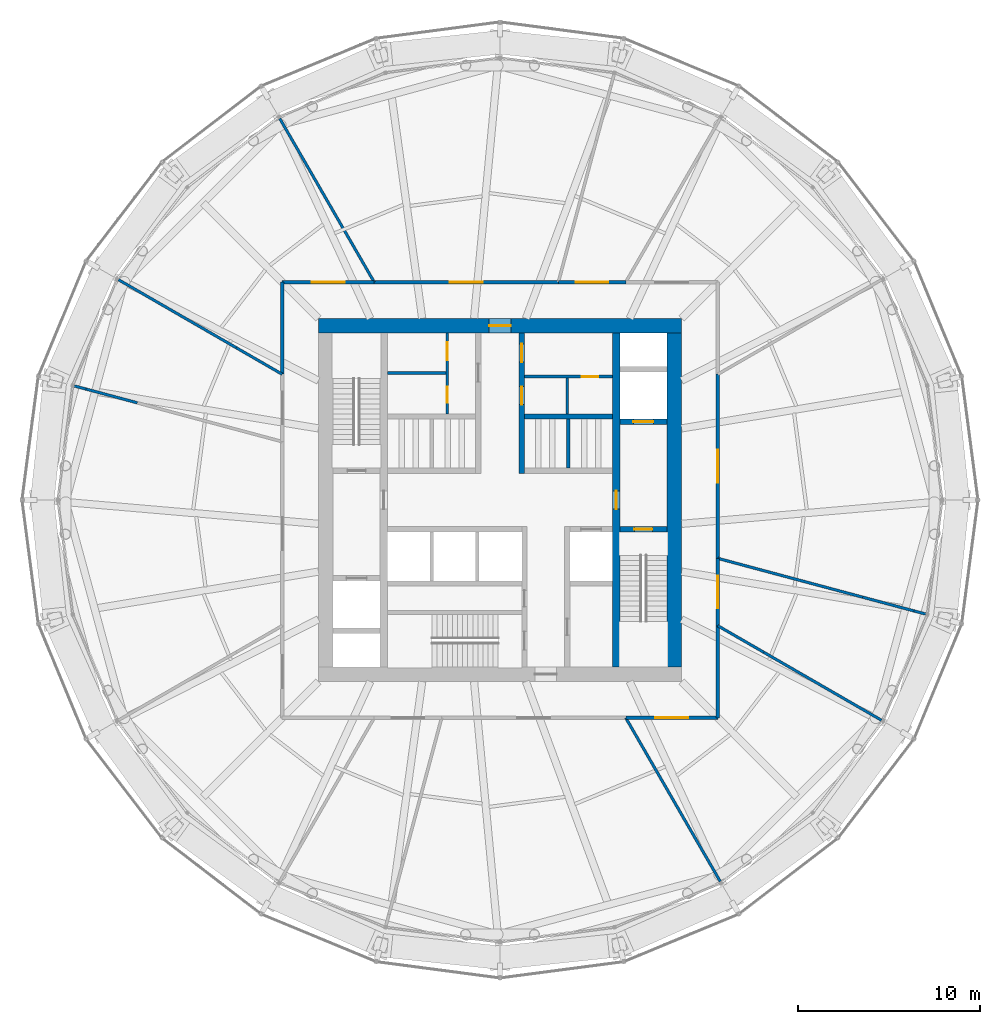
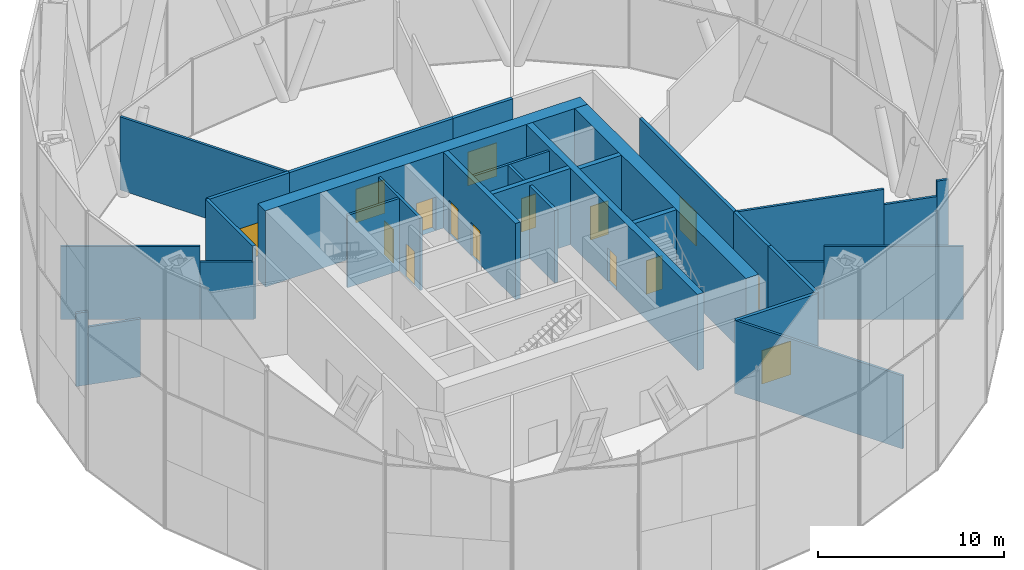
# One storey, part 14 of 16: 31 walls, 15 doors, 15 openings.
"""IFC4 building model written with IfcOpenShell, lengths in metres."""

from ifc_helpers import new_model, si_unit, direction, frame, frame_2d, origin, place, context, subcontext, project, spatial, rectangle, extrude, material, layer, layer_set, type_object, element, fill, save


model = new_model("IFC4")

# Units and contexts
model_context = context("Model", 3, precision=1e-05, world=origin(), true_north=direction((0.0, 1.0)))
body_context = subcontext(model_context, "Body", "Model", "MODEL_VIEW")
ifc_project = project(units=[si_unit("LENGTHUNIT", "METRE"), si_unit("AREAUNIT", "SQUARE_METRE"), si_unit("VOLUMEUNIT", "CUBIC_METRE"), si_unit("PLANEANGLEUNIT", "RADIAN"), si_unit("MASSUNIT", "GRAM", prefix="KILO")], contexts=[model_context])

# Site, building, storey
site_placement = place(None, origin())
site = spatial("IfcSite", under=ifc_project, at=site_placement, CompositionType="ELEMENT")
building_placement = place(site_placement, origin())
building = spatial("IfcBuilding", under=site, at=building_placement, Name="Golbaran Civic Tower", CompositionType="ELEMENT")
storey_placement = place(building_placement, frame((0.0, 0.0, 85.0)))
storey = spatial("IfcBuildingStorey", under=building, at=storey_placement, Name="L20", CompositionType="ELEMENT", Elevation=85.0)

# Wall, opening, door
ifc_material_1 = material(Name="Concrete block", Category="concrete")
ifc_layer_1 = layer(ifc_material_1, 0.14990234375, Name="Concrete block")
ifc_layer_set_1 = layer_set([ifc_layer_1], Name="Concrete block")
wall_type_1 = type_object("IfcWallType", Name="BLOCKWORK PARTITION 150", PredefinedType="PARTITIONING", material=ifc_layer_set_1)
wall_1_placement = place(storey_placement, frame((1.35009765625, 6.800048828125, 0.0), z_axis=(0.0, 0.0, 1.0), x_axis=(1.0, 0.0, 0.0)))
wall_1 = element("IfcWall", 1, at=wall_1_placement, inside=storey, type_object=wall_type_1, Name="Toilet block partition TN1 L20", PredefinedType="PARTITIONING", context=body_context, shape_type="SweptSolid", body=[
    extrude(rectangle(XDim=4.849853515625, YDim=0.14990234375, at=frame_2d((2.4248046875, 0.0))), origin(), (0.0, 0.0, 1.0), 4.75),
])
opening_1_placement = place(wall_1_placement, frame((3.14990234375, 0.0, 0.0)))
opening_1 = element("IfcOpeningElement", 2, at=opening_1_placement, cuts=wall_1, Name="Opening L20.CLN", PredefinedType="OPENING", context=body_context, shape_type="SweptSolid", body=[
    extrude(rectangle(XDim=0.89990234375, YDim=2.199951171875, at=frame_2d((0.449951171875, 1.10009765625))), frame((0.0, 0.0849609375, 0.0), z_axis=(0.0, -1.0, 0.0), x_axis=(1.0, 0.0, 0.0)), (0.0, 0.0, 1.0), 0.169921875),
])
ifc_material_2 = material(Name="Timber door set in steel frame", Category="steel")
door_type_1 = type_object("IfcDoorType", Name="RISER DOOR 900x2200", OperationType="SINGLE_SWING_LEFT", PredefinedType="DOOR", material=ifc_material_2)
door_1_placement = place(opening_1_placement, origin())
door_1 = element("IfcDoor", 3, at=door_1_placement, inside=storey, type_object=door_type_1, Name="Floor Store door", OperationType="SINGLE_SWING_RIGHT", OverallHeight=2.199951171875, OverallWidth=0.89990234375, PredefinedType="DOOR", context=body_context, shape_type="SweptSolid", body=[
    extrude(rectangle(XDim=0.89990234375, YDim=2.199951171875, at=frame_2d((0.449951171875, 1.10009765625))), frame((0.0, 0.02490234375, 0.0), z_axis=(0.0, -1.0, 0.0), x_axis=(1.0, 0.0, 0.0)), (0.0, 0.0, 1.0), 0.050048828125),
])
fill(opening_1, door_1)

# Wall
wall_2_placement = place(storey_placement, frame((3.699951171875, 4.75, 0.0), z_axis=(0.0, 0.0, 1.0), x_axis=(0.0, 1.0, 0.0)))
element("IfcWall", 4, at=wall_2_placement, inside=storey, type_object=wall_type_1, Name="Toilet block partition TN2 L20", PredefinedType="PARTITIONING", context=body_context, shape_type="SweptSolid", body=[
    extrude(rectangle(XDim=1.97509765625, YDim=0.14990234375, at=frame_2d((0.987548828125, 0.0))), origin(), (0.0, 0.0, 1.0), 4.75),
])

# Wall, opening, door
ifc_material_3 = material(Name="Concrete C50/60", Category="concrete")
ifc_layer_2 = layer(ifc_material_3, 0.39990234375, Name="Concrete C50/60")
ifc_layer_set_2 = layer_set([ifc_layer_2], Name="Concrete C50/60")
wall_type_2 = type_object("IfcWallType", Name="CORE WALL CONCRETE 400", PredefinedType="SOLIDWALL", material=ifc_layer_set_2)
wall_3_placement = place(storey_placement, frame((6.39990234375, 9.199951171875, 0.0), z_axis=(0.0, 0.0, 1.0), x_axis=(0.0, -1.0, 0.0)))
wall_3 = element("IfcWall", 5, at=wall_3_placement, inside=storey, type_object=wall_type_2, Name="Core wall IE L20", PredefinedType="SOLIDWALL", context=body_context, shape_type="SweptSolid", body=[
    extrude(rectangle(XDim=18.39990234375, YDim=0.39990234375, at=frame_2d((9.199951171875, 0.0))), origin(), (0.0, 0.0, 1.0), 5.0),
])
opening_2_placement = place(wall_3_placement, frame((8.699951171875, 0.0, 0.0)))
opening_2 = element("IfcOpeningElement", 6, at=opening_2_placement, cuts=wall_3, Name="Opening L20.FL2", PredefinedType="OPENING", context=body_context, shape_type="SweptSolid", body=[
    extrude(rectangle(XDim=1.0, YDim=2.199951171875, at=frame_2d((0.5, 1.10009765625))), frame((0.0, 0.2099609375, 0.0), z_axis=(0.0, -1.0, 0.0), x_axis=(1.0, 0.0, 0.0)), (0.0, 0.0, 1.0), 0.419921875),
])
door_type_2 = type_object("IfcDoorType", Name="STAIR DOOR 1000x2200", OperationType="SINGLE_SWING_LEFT", PredefinedType="DOOR", material=ifc_material_2)
door_2_placement = place(opening_2_placement, origin())
door_2 = element("IfcDoor", 7, at=door_2_placement, inside=storey, type_object=door_type_2, Name="Fire-fighting lobby FL2 door", OperationType="SINGLE_SWING_RIGHT", OverallHeight=2.199951171875, OverallWidth=1.0, PredefinedType="DOOR", context=body_context, shape_type="SweptSolid", body=[
    extrude(rectangle(XDim=1.0, YDim=2.199951171875, at=frame_2d((0.5, 1.10009765625))), frame((0.0, 0.02490234375, 0.0), z_axis=(0.0, -1.0, 0.0), x_axis=(1.0, 0.0, 0.0)), (0.0, 0.0, 1.0), 0.050048828125),
])
fill(opening_2, door_2)

ifc_layer_3 = layer(ifc_material_3, 0.800048828125, Name="Concrete C50/60")
ifc_layer_set_3 = layer_set([ifc_layer_3], Name="Concrete C50/60")
wall_type_3 = type_object("IfcWallType", Name="CORE WALL CONCRETE 800", PredefinedType="SOLIDWALL", material=ifc_layer_set_3)
wall_4_placement = place(storey_placement, frame((-10.0, 9.60009765625, 0.0), z_axis=(0.0, 0.0, 1.0), x_axis=(1.0, 0.0, 0.0)))
wall_4 = element("IfcWall", 8, at=wall_4_placement, inside=storey, type_object=wall_type_3, Name="Core wall CN L20", PredefinedType="SOLIDWALL", context=body_context, shape_type="SweptSolid", body=[
    extrude(rectangle(XDim=20.0, YDim=0.800048828125, at=frame_2d((10.0, 0.0))), origin(), (0.0, 0.0, 1.0), 5.0),
])
opening_3_placement = place(wall_4_placement, frame((9.39990234375, 0.0, 0.0)))
opening_3 = element("IfcOpeningElement", 9, at=opening_3_placement, cuts=wall_4, Name="Opening L20.CN", PredefinedType="OPENING", context=body_context, shape_type="SweptSolid", body=[
    extrude(rectangle(XDim=1.199951171875, YDim=2.199951171875, at=frame_2d((0.60009765625, 1.10009765625))), frame((0.0, 0.409912109375, 0.0), z_axis=(0.0, -1.0, 0.0), x_axis=(1.0, 0.0, 0.0)), (0.0, 0.0, 1.0), 0.820068359375),
])
door_type_3 = type_object("IfcDoorType", Name="CORE DOOR 1200x2200", OperationType="DOUBLE_DOOR_SINGLE_SWING", PredefinedType="DOOR", material=ifc_material_2)
door_3_placement = place(opening_3_placement, origin())
door_3 = element("IfcDoor", 10, at=door_3_placement, inside=storey, type_object=door_type_3, Name="Core door north", OperationType="DOUBLE_DOOR_SINGLE_SWING", OverallHeight=2.199951171875, OverallWidth=1.199951171875, PredefinedType="DOOR", context=body_context, shape_type="SweptSolid", body=[
    extrude(rectangle(XDim=1.199951171875, YDim=2.199951171875, at=frame_2d((0.60009765625, 1.10009765625))), frame((0.0, 0.02490234375, 0.0), z_axis=(0.0, -1.0, 0.0), x_axis=(1.0, 0.0, 0.0)), (0.0, 0.0, 1.0), 0.050048828125),
])
fill(opening_3, door_3)

# Wall
wall_5_placement = place(storey_placement, frame((9.60009765625, -9.199951171875, 0.0), z_axis=(0.0, 0.0, 1.0), x_axis=(0.0, 1.0, 0.0)))
element("IfcWall", 11, at=wall_5_placement, inside=storey, type_object=wall_type_3, Name="Core wall CE L20", PredefinedType="SOLIDWALL", context=body_context, shape_type="SweptSolid", body=[
    extrude(rectangle(XDim=18.39990234375, YDim=0.800048828125, at=frame_2d((9.199951171875, 0.0))), origin(), (0.0, 0.0, 1.0), 5.0),
])

# Wall, opening, door
ifc_material_4 = material(Name="Gypsum board on steel studs, fire-rated", Category="steel")
ifc_layer_4 = layer(ifc_material_4, 0.199951171875, Name="Gypsum board on steel studs, fire-rated")
ifc_layer_set_4 = layer_set([ifc_layer_4], Name="Gypsum board on steel studs, fire-rated")
wall_type_4 = type_object("IfcWallType", Name="CORRIDOR WALL 200", PredefinedType="PARTITIONING", material=ifc_layer_set_4)
wall_6_placement = place(storey_placement, frame((12.0, -6.92822265625, 0.0), z_axis=(0.0, 0.0, 1.0), x_axis=(0.0, 1.0, 0.0)))
wall_6 = element("IfcWall", 12, at=wall_6_placement, inside=storey, type_object=wall_type_4, Name="Corridor wall L20", PredefinedType="PARTITIONING", context=body_context, shape_type="SweptSolid", body=[
    extrude(rectangle(XDim=3.712890625, YDim=0.199951171875, at=frame_2d((1.8564453125, 0.0))), origin(), (0.0, 0.0, 1.0), 4.800048828125),
])
opening_4_placement = place(wall_6_placement, frame((0.956298828125, 0.0, 0.0)))
opening_4 = element("IfcOpeningElement", 13, at=opening_4_placement, cuts=wall_6, Name="Opening L20.02", PredefinedType="OPENING", context=body_context, shape_type="SweptSolid", body=[
    extrude(rectangle(XDim=1.800048828125, YDim=2.199951171875, at=frame_2d((0.89990234375, 1.10009765625))), frame((0.0, 0.10986328125, 0.0), z_axis=(0.0, -1.0, 0.0), x_axis=(1.0, 0.0, 0.0)), (0.0, 0.0, 1.0), 0.219970703125),
])
door_type_4 = type_object("IfcDoorType", Name="OFFICE DOUBLE DOOR 1800x2200", OperationType="DOUBLE_DOOR_SINGLE_SWING", PredefinedType="DOOR", material=ifc_material_2)
door_4_placement = place(opening_4_placement, origin())
door_4 = element("IfcDoor", 14, at=door_4_placement, inside=storey, type_object=door_type_4, Name="Refuge Area door L20", OperationType="DOUBLE_DOOR_SINGLE_SWING", OverallHeight=2.199951171875, OverallWidth=1.800048828125, PredefinedType="DOOR", context=body_context, shape_type="SweptSolid", body=[
    extrude(rectangle(XDim=1.800048828125, YDim=2.199951171875, at=frame_2d((0.89990234375, 1.10009765625))), frame((0.0, 0.02490234375, 0.0), z_axis=(0.0, -1.0, 0.0), x_axis=(1.0, 0.0, 0.0)), (0.0, 0.0, 1.0), 0.050048828125),
])
fill(opening_4, door_4)

wall_7_placement = place(storey_placement, frame((12.0, -3.21533203125, 0.0), z_axis=(0.0, 0.0, 1.0), x_axis=(0.0, 1.0, 0.0)))
wall_7 = element("IfcWall", 15, at=wall_7_placement, inside=storey, type_object=wall_type_4, Name="Corridor wall L20", PredefinedType="PARTITIONING", context=body_context, shape_type="SweptSolid", body=[
    extrude(rectangle(XDim=10.1435546875, YDim=0.199951171875, at=frame_2d((5.07177734375, 0.0))), origin(), (0.0, 0.0, 1.0), 4.800048828125),
])
opening_5_placement = place(wall_7_placement, frame((4.171875, 0.0, 0.0)))
opening_5 = element("IfcOpeningElement", 16, at=opening_5_placement, cuts=wall_7, Name="Opening L20.03", PredefinedType="OPENING", context=body_context, shape_type="SweptSolid", body=[
    extrude(rectangle(XDim=1.800048828125, YDim=2.199951171875, at=frame_2d((0.89990234375, 1.10009765625))), frame((0.0, 0.10986328125, 0.0), z_axis=(0.0, -1.0, 0.0), x_axis=(1.0, 0.0, 0.0)), (0.0, 0.0, 1.0), 0.219970703125),
])
door_5_placement = place(opening_5_placement, origin())
door_5 = element("IfcDoor", 17, at=door_5_placement, inside=storey, type_object=door_type_4, Name="Chiller Plant Room door L20", OperationType="DOUBLE_DOOR_SINGLE_SWING", OverallHeight=2.199951171875, OverallWidth=1.800048828125, PredefinedType="DOOR", context=body_context, shape_type="SweptSolid", body=[
    extrude(rectangle(XDim=1.800048828125, YDim=2.199951171875, at=frame_2d((0.89990234375, 1.10009765625))), frame((0.0, 0.02490234375, 0.0), z_axis=(0.0, -1.0, 0.0), x_axis=(1.0, 0.0, 0.0)), (0.0, 0.0, 1.0), 0.050048828125),
])
fill(opening_5, door_5)

wall_8_placement = place(storey_placement, frame((6.92822265625, 12.0, 0.0), z_axis=(0.0, 0.0, 1.0), x_axis=(-1.0, 0.0, 0.0)))
wall_8 = element("IfcWall", 18, at=wall_8_placement, inside=storey, type_object=wall_type_4, Name="Corridor wall L20", PredefinedType="PARTITIONING", context=body_context, shape_type="SweptSolid", body=[
    extrude(rectangle(XDim=3.712890625, YDim=0.199951171875, at=frame_2d((1.8564453125, 0.0))), origin(), (0.0, 0.0, 1.0), 4.800048828125),
])
opening_6_placement = place(wall_8_placement, frame((0.956298828125, 0.0, 0.0)))
opening_6 = element("IfcOpeningElement", 19, at=opening_6_placement, cuts=wall_8, Name="Opening L20.05", PredefinedType="OPENING", context=body_context, shape_type="SweptSolid", body=[
    extrude(rectangle(XDim=1.800048828125, YDim=2.199951171875, at=frame_2d((0.89990234375, 1.10009765625))), frame((0.0, 0.10986328125, 0.0), z_axis=(0.0, -1.0, 0.0), x_axis=(1.0, 0.0, 0.0)), (0.0, 0.0, 1.0), 0.219970703125),
])
door_6_placement = place(opening_6_placement, origin())
door_6 = element("IfcDoor", 20, at=door_6_placement, inside=storey, type_object=door_type_4, Name="Air Handling Plant Room door L20", OperationType="DOUBLE_DOOR_SINGLE_SWING", OverallHeight=2.199951171875, OverallWidth=1.800048828125, PredefinedType="DOOR", context=body_context, shape_type="SweptSolid", body=[
    extrude(rectangle(XDim=1.800048828125, YDim=2.199951171875, at=frame_2d((0.89990234375, 1.10009765625))), frame((0.0, 0.02490234375, 0.0), z_axis=(0.0, -1.0, 0.0), x_axis=(1.0, 0.0, 0.0)), (0.0, 0.0, 1.0), 0.050048828125),
])
fill(opening_6, door_6)

wall_9_placement = place(storey_placement, frame((3.21533203125, 12.0, 0.0), z_axis=(0.0, 0.0, 1.0), x_axis=(-1.0, 0.0, 0.0)))
wall_9 = element("IfcWall", 21, at=wall_9_placement, inside=storey, type_object=wall_type_4, Name="Corridor wall L20", PredefinedType="PARTITIONING", context=body_context, shape_type="SweptSolid", body=[
    extrude(rectangle(XDim=10.1435546875, YDim=0.199951171875, at=frame_2d((5.07177734375, 0.0))), origin(), (0.0, 0.0, 1.0), 4.800048828125),
])
opening_7_placement = place(wall_9_placement, frame((4.171875, 0.0, 0.0)))
opening_7 = element("IfcOpeningElement", 22, at=opening_7_placement, cuts=wall_9, Name="Opening L20.06", PredefinedType="OPENING", context=body_context, shape_type="SweptSolid", body=[
    extrude(rectangle(XDim=1.800048828125, YDim=2.199951171875, at=frame_2d((0.89990234375, 1.10009765625))), frame((0.0, 0.10986328125, 0.0), z_axis=(0.0, -1.0, 0.0), x_axis=(1.0, 0.0, 0.0)), (0.0, 0.0, 1.0), 0.219970703125),
])
door_7_placement = place(opening_7_placement, origin())
door_7 = element("IfcDoor", 23, at=door_7_placement, inside=storey, type_object=door_type_4, Name="Refuge Area door L20", OperationType="DOUBLE_DOOR_SINGLE_SWING", OverallHeight=2.199951171875, OverallWidth=1.800048828125, PredefinedType="DOOR", context=body_context, shape_type="SweptSolid", body=[
    extrude(rectangle(XDim=1.800048828125, YDim=2.199951171875, at=frame_2d((0.89990234375, 1.10009765625))), frame((0.0, 0.02490234375, 0.0), z_axis=(0.0, -1.0, 0.0), x_axis=(1.0, 0.0, 0.0)), (0.0, 0.0, 1.0), 0.050048828125),
])
fill(opening_7, door_7)

wall_10_placement = place(storey_placement, frame((-6.92822265625, 12.0, 0.0), z_axis=(0.0, 0.0, 1.0), x_axis=(-1.0, 0.0, 0.0)))
wall_10 = element("IfcWall", 24, at=wall_10_placement, inside=storey, type_object=wall_type_4, Name="Corridor wall L20", PredefinedType="PARTITIONING", context=body_context, shape_type="SweptSolid", body=[
    extrude(rectangle(XDim=5.07177734375, YDim=0.199951171875, at=frame_2d((2.535888671875, 0.0))), origin(), (0.0, 0.0, 1.0), 4.800048828125),
])
opening_8_placement = place(wall_10_placement, frame((1.635986328125, 0.0, 0.0)))
opening_8 = element("IfcOpeningElement", 25, at=opening_8_placement, cuts=wall_10, Name="Opening L20.07", PredefinedType="OPENING", context=body_context, shape_type="SweptSolid", body=[
    extrude(rectangle(XDim=1.800048828125, YDim=2.199951171875, at=frame_2d((0.89990234375, 1.10009765625))), frame((0.0, 0.10986328125, 0.0), z_axis=(0.0, -1.0, 0.0), x_axis=(1.0, 0.0, 0.0)), (0.0, 0.0, 1.0), 0.219970703125),
])
door_8_placement = place(opening_8_placement, origin())
door_8 = element("IfcDoor", 26, at=door_8_placement, inside=storey, type_object=door_type_4, Name="Water Tank Room door L20", OperationType="DOUBLE_DOOR_SINGLE_SWING", OverallHeight=2.199951171875, OverallWidth=1.800048828125, PredefinedType="DOOR", context=body_context, shape_type="SweptSolid", body=[
    extrude(rectangle(XDim=1.800048828125, YDim=2.199951171875, at=frame_2d((0.89990234375, 1.10009765625))), frame((0.0, 0.02490234375, 0.0), z_axis=(0.0, -1.0, 0.0), x_axis=(1.0, 0.0, 0.0)), (0.0, 0.0, 1.0), 0.050048828125),
])
fill(opening_8, door_8)

# Wall
wall_11_placement = place(storey_placement, frame((-12.0, 12.0, 0.0), z_axis=(0.0, 0.0, 1.0), x_axis=(0.0, -1.0, 0.0)))
element("IfcWall", 27, at=wall_11_placement, inside=storey, type_object=wall_type_4, Name="Corridor wall L20", PredefinedType="PARTITIONING", context=body_context, shape_type="SweptSolid", body=[
    extrude(rectangle(XDim=5.07177734375, YDim=0.199951171875, at=frame_2d((2.535888671875, 0.0))), origin(), (0.0, 0.0, 1.0), 4.800048828125),
])

# Wall, opening, door
wall_12_placement = place(storey_placement, frame((6.92822265625, -12.0, 0.0), z_axis=(0.0, 0.0, 1.0), x_axis=(1.0, 0.0, 0.0)))
wall_12 = element("IfcWall", 28, at=wall_12_placement, inside=storey, type_object=wall_type_4, Name="Corridor wall L20", PredefinedType="PARTITIONING", context=body_context, shape_type="SweptSolid", body=[
    extrude(rectangle(XDim=5.07177734375, YDim=0.199951171875, at=frame_2d((2.535888671875, 0.0))), origin(), (0.0, 0.0, 1.0), 4.800048828125),
])
opening_9_placement = place(wall_12_placement, frame((1.635986328125, 0.0, 0.0)))
opening_9 = element("IfcOpeningElement", 29, at=opening_9_placement, cuts=wall_12, Name="Opening L20.13", PredefinedType="OPENING", context=body_context, shape_type="SweptSolid", body=[
    extrude(rectangle(XDim=1.800048828125, YDim=2.199951171875, at=frame_2d((0.89990234375, 1.10009765625))), frame((0.0, 0.10986328125, 0.0), z_axis=(0.0, -1.0, 0.0), x_axis=(1.0, 0.0, 0.0)), (0.0, 0.0, 1.0), 0.219970703125),
])
door_9_placement = place(opening_9_placement, origin())
door_9 = element("IfcDoor", 30, at=door_9_placement, inside=storey, type_object=door_type_4, Name="Refuge Area door L20", OperationType="DOUBLE_DOOR_SINGLE_SWING", OverallHeight=2.199951171875, OverallWidth=1.800048828125, PredefinedType="DOOR", context=body_context, shape_type="SweptSolid", body=[
    extrude(rectangle(XDim=1.800048828125, YDim=2.199951171875, at=frame_2d((0.89990234375, 1.10009765625))), frame((0.0, 0.02490234375, 0.0), z_axis=(0.0, -1.0, 0.0), x_axis=(1.0, 0.0, 0.0)), (0.0, 0.0, 1.0), 0.050048828125),
])
fill(opening_9, door_9)

# Walls
wall_13_placement = place(storey_placement, frame((12.0, -12.0, 0.0), z_axis=(0.0, 0.0, 1.0), x_axis=(0.0, 1.0, 0.0)))
element("IfcWall", 31, at=wall_13_placement, inside=storey, type_object=wall_type_4, Name="Corridor wall L20", PredefinedType="PARTITIONING", context=body_context, shape_type="SweptSolid", body=[
    extrude(rectangle(XDim=5.07177734375, YDim=0.199951171875, at=frame_2d((2.535888671875, 0.0))), origin(), (0.0, 0.0, 1.0), 4.800048828125),
])
ifc_layer_5 = layer(ifc_material_1, 0.199951171875, Name="Concrete block")
ifc_layer_set_5 = layer_set([ifc_layer_5], Name="Concrete block")
wall_type_5 = type_object("IfcWallType", Name="LIFT SEPARATOR WALL 200", PredefinedType="SOLIDWALL", material=ifc_layer_set_5)
wall_14_placement = place(storey_placement, frame((3.75, 1.75, 0.0), z_axis=(0.0, 0.0, 1.0), x_axis=(0.0, 1.0, 0.0)))
element("IfcWall", 32, at=wall_14_placement, inside=storey, type_object=wall_type_5, Name="Core partition SNE L20", PredefinedType="SOLIDWALL", context=body_context, shape_type="SweptSolid", body=[
    extrude(rectangle(XDim=2.699951171875, YDim=0.199951171875, at=frame_2d((1.35009765625, 0.0))), origin(), (0.0, 0.0, 1.0), 4.75),
])
ifc_material_5 = material(Name="Gypsum board on steel studs", Category="steel")
ifc_layer_6 = layer(ifc_material_5, 0.14990234375, Name="Gypsum board on steel studs")
ifc_layer_set_6 = layer_set([ifc_layer_6], Name="Gypsum board on steel studs")
wall_type_6 = type_object("IfcWallType", Name="OFFICE PARTITION 150", PredefinedType="PARTITIONING", material=ifc_layer_set_6)
wall_15_placement = place(storey_placement, frame((12.0, -6.92822265625, 0.0), z_axis=(0.0, 0.0, 1.0), x_axis=(0.866026830048, -0.499997529631, 0.0)))
element("IfcWall", 33, at=wall_15_placement, inside=storey, type_object=wall_type_6, Name="Partition 330 L20", PredefinedType="PARTITIONING", context=body_context, shape_type="SweptSolid", body=[
    extrude(rectangle(XDim=2.91943359375, YDim=0.14990234375, at=frame_2d((1.459716796875, 0.0))), origin(), (0.0, 0.0, 1.0), 3.7900390625),
])
wall_16_placement = place(storey_placement, frame((14.5283203125, -8.387939453125, 0.0), z_axis=(0.0, 0.0, 1.0), x_axis=(0.8660207781, -0.500008011835, 0.0)))
element("IfcWall", 34, at=wall_16_placement, inside=storey, type_object=wall_type_6, Name="Partition 330 L20 (part 2)", PredefinedType="PARTITIONING", context=body_context, shape_type="SweptSolid", body=[
    extrude(rectangle(XDim=7.49951171875, YDim=0.14990234375, at=frame_2d((3.749755859375, 0.0))), origin(), (0.0, 0.0, 1.0), 4.800048828125),
])
wall_17_placement = place(storey_placement, frame((12.0, -3.21533203125, 0.0), z_axis=(0.0, 0.0, 1.0), x_axis=(0.965926149295, -0.258817839624, 0.0)))
element("IfcWall", 35, at=wall_17_placement, inside=storey, type_object=wall_type_6, Name="Partition 345 L20", PredefinedType="PARTITIONING", context=body_context, shape_type="SweptSolid", body=[
    extrude(rectangle(XDim=8.259521484375, YDim=0.14990234375, at=frame_2d((4.1298828125, 0.0))), origin(), (0.0, 0.0, 1.0), 4.800048828125),
])
wall_18_placement = place(storey_placement, frame((19.97802734375, -5.35302734375, 0.0), z_axis=(0.0, 0.0, 1.0), x_axis=(0.965910471853, -0.258876341839, 0.0)))
element("IfcWall", 36, at=wall_18_placement, inside=storey, type_object=wall_type_6, Name="Partition 345 L20 (part 2)", PredefinedType="PARTITIONING", context=body_context, shape_type="SweptSolid", body=[
    extrude(rectangle(XDim=2.92919921875, YDim=0.14990234375, at=frame_2d((1.464599609375, 0.0))), origin(), (0.0, 0.0, 1.0), 3.7900390625),
])
wall_19_placement = place(storey_placement, frame((22.807373046875, -6.111328125, 0.0), z_axis=(0.0, 0.0, 1.0), x_axis=(0.965934907189, -0.258785152345, 0.0)))
element("IfcWall", 37, at=wall_19_placement, inside=storey, type_object=wall_type_6, Name="Partition 345 L20 (part 3)", PredefinedType="PARTITIONING", context=body_context, shape_type="SweptSolid", body=[
    extrude(rectangle(XDim=0.663330078125, YDim=0.14990234375, at=frame_2d((0.33154296875, 0.0))), origin(), (0.0, 0.0, 1.0), 4.800048828125),
])
wall_20_placement = place(storey_placement, frame((-6.92822265625, 12.0, 0.0), z_axis=(0.0, 0.0, 1.0), x_axis=(-0.500005074639, 0.86602247392, 0.0)))
element("IfcWall", 38, at=wall_20_placement, inside=storey, type_object=wall_type_6, Name="Partition 120 L20", PredefinedType="PARTITIONING", context=body_context, shape_type="SweptSolid", body=[
    extrude(rectangle(XDim=10.4189453125, YDim=0.14990234375, at=frame_2d((5.20947265625, 0.0))), origin(), (0.0, 0.0, 1.0), 4.800048828125),
])
wall_21_placement = place(storey_placement, frame((-12.0, 6.92822265625, 0.0), z_axis=(0.0, 0.0, 1.0), x_axis=(-0.866026830048, 0.499997529631, 0.0)))
element("IfcWall", 39, at=wall_21_placement, inside=storey, type_object=wall_type_6, Name="Partition 150 L20", PredefinedType="PARTITIONING", context=body_context, shape_type="SweptSolid", body=[
    extrude(rectangle(XDim=2.91943359375, YDim=0.14990234375, at=frame_2d((1.459716796875, 0.0))), origin(), (0.0, 0.0, 1.0), 3.7900390625),
])
wall_22_placement = place(storey_placement, frame((-14.5283203125, 8.387939453125, 0.0), z_axis=(0.0, 0.0, 1.0), x_axis=(-0.8660207781, 0.500008011835, 0.0)))
element("IfcWall", 40, at=wall_22_placement, inside=storey, type_object=wall_type_6, Name="Partition 150 L20 (part 2)", PredefinedType="PARTITIONING", context=body_context, shape_type="SweptSolid", body=[
    extrude(rectangle(XDim=7.49951171875, YDim=0.14990234375, at=frame_2d((3.749755859375, 0.0))), origin(), (0.0, 0.0, 1.0), 4.800048828125),
])
wall_23_placement = place(storey_placement, frame((-19.97802734375, 5.35302734375, 0.0), z_axis=(0.0, 0.0, 1.0), x_axis=(-0.965910471853, 0.258876341839, 0.0)))
element("IfcWall", 41, at=wall_23_placement, inside=storey, type_object=wall_type_6, Name="Partition 165 L20 (part 2)", PredefinedType="PARTITIONING", context=body_context, shape_type="SweptSolid", body=[
    extrude(rectangle(XDim=2.92919921875, YDim=0.14990234375, at=frame_2d((1.464599609375, 0.0))), origin(), (0.0, 0.0, 1.0), 3.7900390625),
])
wall_24_placement = place(storey_placement, frame((-22.807373046875, 6.111328125, 0.0), z_axis=(0.0, 0.0, 1.0), x_axis=(-0.965934907189, 0.258785152345, 0.0)))
element("IfcWall", 42, at=wall_24_placement, inside=storey, type_object=wall_type_6, Name="Partition 165 L20 (part 3)", PredefinedType="PARTITIONING", context=body_context, shape_type="SweptSolid", body=[
    extrude(rectangle(XDim=0.663330078125, YDim=0.14990234375, at=frame_2d((0.33154296875, 0.0))), origin(), (0.0, 0.0, 1.0), 4.800048828125),
])
wall_25_placement = place(storey_placement, frame((6.92822265625, -12.0, 0.0), z_axis=(0.0, 0.0, 1.0), x_axis=(0.500005074639, -0.86602247392, 0.0)))
element("IfcWall", 43, at=wall_25_placement, inside=storey, type_object=wall_type_6, Name="Partition 300 L20", PredefinedType="PARTITIONING", context=body_context, shape_type="SweptSolid", body=[
    extrude(rectangle(XDim=10.4189453125, YDim=0.14990234375, at=frame_2d((5.20947265625, 0.0))), origin(), (0.0, 0.0, 1.0), 4.800048828125),
])
ifc_layer_7 = layer(ifc_material_3, 0.300048828125, Name="Concrete C50/60")
ifc_layer_set_7 = layer_set([ifc_layer_7], Name="Concrete C50/60")
wall_type_7 = type_object("IfcWallType", Name="SHAFT WALL CONCRETE 300", PredefinedType="SOLIDWALL", material=ifc_layer_set_7)
wall_26_placement = place(storey_placement, frame((1.35009765625, 4.60009765625, 0.0), z_axis=(0.0, 0.0, 1.0), x_axis=(1.0, 0.0, 0.0)))
element("IfcWall", 44, at=wall_26_placement, inside=storey, type_object=wall_type_7, Name="Core wall BNE L20", PredefinedType="SOLIDWALL", context=body_context, shape_type="SweptSolid", body=[
    extrude(rectangle(XDim=4.849853515625, YDim=0.300048828125, at=frame_2d((2.4248046875, 0.0))), origin(), (0.0, 0.0, 1.0), 5.0),
])

# Wall, openings, doors
wall_27_placement = place(storey_placement, frame((1.199951171875, 1.449951171875, 0.0), z_axis=(0.0, 0.0, 1.0), x_axis=(0.0, 1.0, 0.0)))
wall_27 = element("IfcWall", 45, at=wall_27_placement, inside=storey, type_object=wall_type_7, Name="Core wall PNE L20", PredefinedType="SOLIDWALL", context=body_context, shape_type="SweptSolid", body=[
    extrude(rectangle(XDim=7.75, YDim=0.300048828125, at=frame_2d((3.875, 0.0))), origin(), (0.0, 0.0, 1.0), 5.0),
])
opening_10_placement = place(wall_27_placement, frame((3.800048828125, 0.0, 0.0)))
opening_10 = element("IfcOpeningElement", 46, at=opening_10_placement, cuts=wall_27, Name="Opening L20.WCA", PredefinedType="OPENING", context=body_context, shape_type="SweptSolid", body=[
    extrude(rectangle(XDim=1.0, YDim=2.199951171875, at=frame_2d((0.5, 1.10009765625))), frame((0.0, 0.159912109375, 0.0), z_axis=(0.0, -1.0, 0.0), x_axis=(1.0, 0.0, 0.0)), (0.0, 0.0, 1.0), 0.320068359375),
])
opening_11_placement = place(wall_27_placement, frame((6.14990234375, 0.0, 0.0)))
opening_11 = element("IfcOpeningElement", 47, at=opening_11_placement, cuts=wall_27, Name="Opening L20.WCF", PredefinedType="OPENING", context=body_context, shape_type="SweptSolid", body=[
    extrude(rectangle(XDim=1.0, YDim=2.199951171875, at=frame_2d((0.5, 1.10009765625))), frame((0.0, 0.159912109375, 0.0), z_axis=(0.0, -1.0, 0.0), x_axis=(1.0, 0.0, 0.0)), (0.0, 0.0, 1.0), 0.320068359375),
])
door_type_5 = type_object("IfcDoorType", Name="TOILET DOOR 1000x2200", OperationType="SINGLE_SWING_LEFT", PredefinedType="DOOR", material=ifc_material_2)
door_10_placement = place(opening_10_placement, origin())
door_10 = element("IfcDoor", 48, at=door_10_placement, inside=storey, type_object=door_type_5, Name="Accessible WC door", OperationType="SINGLE_SWING_RIGHT", OverallHeight=2.199951171875, OverallWidth=1.0, PredefinedType="DOOR", context=body_context, shape_type="SweptSolid", body=[
    extrude(rectangle(XDim=1.0, YDim=2.199951171875, at=frame_2d((0.5, 1.10009765625))), frame((0.0, 0.02490234375, 0.0), z_axis=(0.0, -1.0, 0.0), x_axis=(1.0, 0.0, 0.0)), (0.0, 0.0, 1.0), 0.050048828125),
])
fill(opening_10, door_10)
door_11_placement = place(opening_11_placement, origin())
door_11 = element("IfcDoor", 49, at=door_11_placement, inside=storey, type_object=door_type_5, Name="North-east toilet block door", OperationType="SINGLE_SWING_RIGHT", OverallHeight=2.199951171875, OverallWidth=1.0, PredefinedType="DOOR", context=body_context, shape_type="SweptSolid", body=[
    extrude(rectangle(XDim=1.0, YDim=2.199951171875, at=frame_2d((0.5, 1.10009765625))), frame((0.0, 0.02490234375, 0.0), z_axis=(0.0, -1.0, 0.0), x_axis=(1.0, 0.0, 0.0)), (0.0, 0.0, 1.0), 0.050048828125),
])
fill(opening_11, door_11)

# Wall, opening, door
wall_28_placement = place(storey_placement, frame((6.60009765625, -1.60009765625, 0.0), z_axis=(0.0, 0.0, 1.0), x_axis=(1.0, 0.0, 0.0)))
wall_28 = element("IfcWall", 50, at=wall_28_placement, inside=storey, type_object=wall_type_7, Name="Core wall XE1 L20", PredefinedType="SOLIDWALL", context=body_context, shape_type="SweptSolid", body=[
    extrude(rectangle(XDim=2.599853515625, YDim=0.300048828125, at=frame_2d((1.2998046875, 0.0))), origin(), (0.0, 0.0, 1.0), 5.0),
])
opening_12_placement = place(wall_28_placement, frame((0.800048828125, 0.0, 0.0)))
opening_12 = element("IfcOpeningElement", 51, at=opening_12_placement, cuts=wall_28, Name="Opening L20.S2", PredefinedType="OPENING", context=body_context, shape_type="SweptSolid", body=[
    extrude(rectangle(XDim=1.0, YDim=2.199951171875, at=frame_2d((0.5, 1.10009765625))), frame((0.0, 0.159912109375, 0.0), z_axis=(0.0, -1.0, 0.0), x_axis=(1.0, 0.0, 0.0)), (0.0, 0.0, 1.0), 0.320068359375),
])
door_12_placement = place(opening_12_placement, origin())
door_12 = element("IfcDoor", 52, at=door_12_placement, inside=storey, type_object=door_type_2, Name="Stair S2 door", OperationType="SINGLE_SWING_LEFT", OverallHeight=2.199951171875, OverallWidth=1.0, PredefinedType="DOOR", context=body_context, shape_type="SweptSolid", body=[
    extrude(rectangle(XDim=1.0, YDim=2.199951171875, at=frame_2d((0.5, 1.10009765625))), frame((0.0, 0.02490234375, 0.0), z_axis=(0.0, -1.0, 0.0), x_axis=(1.0, 0.0, 0.0)), (0.0, 0.0, 1.0), 0.050048828125),
])
fill(opening_12, door_12)

wall_29_placement = place(storey_placement, frame((6.60009765625, 4.300048828125, 0.0), z_axis=(0.0, 0.0, 1.0), x_axis=(1.0, 0.0, 0.0)))
wall_29 = element("IfcWall", 53, at=wall_29_placement, inside=storey, type_object=wall_type_7, Name="Core wall XE2 L20", PredefinedType="SOLIDWALL", context=body_context, shape_type="SweptSolid", body=[
    extrude(rectangle(XDim=2.599853515625, YDim=0.300048828125, at=frame_2d((1.2998046875, 0.0))), origin(), (0.0, 0.0, 1.0), 5.0),
])
opening_13_placement = place(wall_29_placement, frame((0.75, 0.0, 0.0)))
opening_13 = element("IfcOpeningElement", 54, at=opening_13_placement, cuts=wall_29, Name="Opening L20.LD-F2", PredefinedType="OPENING", context=body_context, shape_type="SweptSolid", body=[
    extrude(rectangle(XDim=1.10009765625, YDim=2.199951171875, at=frame_2d((0.550048828125, 1.10009765625))), frame((0.0, 0.159912109375, 0.0), z_axis=(0.0, -1.0, 0.0), x_axis=(1.0, 0.0, 0.0)), (0.0, 0.0, 1.0), 0.320068359375),
])
ifc_material_6 = material(Name="Stainless steel", Category="steel")
door_type_6 = type_object("IfcDoorType", Name="LIFT LANDING DOOR 1100x2200", OperationType="SLIDING_TO_LEFT", PredefinedType="DOOR", material=ifc_material_6)
door_13_placement = place(opening_13_placement, origin())
door_13 = element("IfcDoor", 55, at=door_13_placement, inside=storey, type_object=door_type_6, Name="Lift landing door F2", OperationType="SLIDING_TO_LEFT", OverallHeight=2.199951171875, OverallWidth=1.10009765625, PredefinedType="DOOR", context=body_context, shape_type="SweptSolid", body=[
    extrude(rectangle(XDim=1.10009765625, YDim=2.199951171875, at=frame_2d((0.550048828125, 1.10009765625))), frame((0.0, 0.02490234375, 0.0), z_axis=(0.0, -1.0, 0.0), x_axis=(1.0, 0.0, 0.0)), (0.0, 0.0, 1.0), 0.050048828125),
])
fill(opening_13, door_13)

# Wall, openings, doors
ifc_material_7 = material(Name="Moisture-resistant gypsum board on steel studs", Category="steel")
ifc_layer_8 = layer(ifc_material_7, 0.14990234375, Name="Moisture-resistant gypsum board on steel studs")
ifc_layer_set_8 = layer_set([ifc_layer_8], Name="Moisture-resistant gypsum board on steel studs")
wall_type_8 = type_object("IfcWallType", Name="TOILET BLOCK PARTITION 150", PredefinedType="PARTITIONING", material=ifc_layer_set_8)
wall_30_placement = place(storey_placement, frame((-2.89990234375, 4.75, 0.0), z_axis=(0.0, 0.0, 1.0), x_axis=(0.0, 1.0, 0.0)))
wall_30 = element("IfcWall", 56, at=wall_30_placement, inside=storey, type_object=wall_type_8, Name="Toilet block partition MWL L20", PredefinedType="PARTITIONING", context=body_context, shape_type="SweptSolid", body=[
    extrude(rectangle(XDim=4.449951171875, YDim=0.14990234375, at=frame_2d((2.22509765625, 0.0))), origin(), (0.0, 0.0, 1.0), 4.75),
])
opening_14_placement = place(wall_30_placement, frame((2.949951171875, 0.0, 0.0)))
opening_14 = element("IfcOpeningElement", 57, at=opening_14_placement, cuts=wall_30, Name="Opening L20.14", PredefinedType="OPENING", context=body_context, shape_type="SweptSolid", body=[
    extrude(rectangle(XDim=1.0, YDim=2.199951171875, at=frame_2d((0.5, 1.10009765625))), frame((0.0, 0.0849609375, 0.0), z_axis=(0.0, -1.0, 0.0), x_axis=(1.0, 0.0, 0.0)), (0.0, 0.0, 1.0), 0.169921875),
])
opening_15_placement = place(wall_30_placement, frame((0.60009765625, 0.0, 0.0)))
opening_15 = element("IfcOpeningElement", 58, at=opening_15_placement, cuts=wall_30, Name="Opening L20.01", PredefinedType="OPENING", context=body_context, shape_type="SweptSolid", body=[
    extrude(rectangle(XDim=0.89990234375, YDim=2.199951171875, at=frame_2d((0.449951171875, 1.10009765625))), frame((0.0, 0.0849609375, 0.0), z_axis=(0.0, -1.0, 0.0), x_axis=(1.0, 0.0, 0.0)), (0.0, 0.0, 1.0), 0.169921875),
])
door_14_placement = place(opening_15_placement, origin())
door_14 = element("IfcDoor", 59, at=door_14_placement, inside=storey, type_object=door_type_1, Name="IT and comms room door", OperationType="SINGLE_SWING_LEFT", OverallHeight=2.199951171875, OverallWidth=0.89990234375, PredefinedType="DOOR", context=body_context, shape_type="SweptSolid", body=[
    extrude(rectangle(XDim=0.89990234375, YDim=2.199951171875, at=frame_2d((0.449951171875, 1.10009765625))), frame((0.0, 0.02490234375, 0.0), z_axis=(0.0, -1.0, 0.0), x_axis=(1.0, 0.0, 0.0)), (0.0, 0.0, 1.0), 0.050048828125),
])
fill(opening_15, door_14)
door_15_placement = place(opening_14_placement, origin())
door_15 = element("IfcDoor", 60, at=door_15_placement, inside=storey, type_object=door_type_5, Name="Female WC door", OperationType="SINGLE_SWING_RIGHT", OverallHeight=2.199951171875, OverallWidth=1.0, PredefinedType="DOOR", context=body_context, shape_type="SweptSolid", body=[
    extrude(rectangle(XDim=1.0, YDim=2.199951171875, at=frame_2d((0.5, 1.10009765625))), frame((0.0, 0.02490234375, 0.0), z_axis=(0.0, -1.0, 0.0), x_axis=(1.0, 0.0, 0.0)), (0.0, 0.0, 1.0), 0.050048828125),
])
fill(opening_14, door_15)

# Wall
wall_31_placement = place(storey_placement, frame((-6.199951171875, 7.0, 0.0), z_axis=(0.0, 0.0, 1.0), x_axis=(1.0, 0.0, 0.0)))
element("IfcWall", 61, at=wall_31_placement, inside=storey, type_object=wall_type_8, Name="Toilet block partition MWX L20", PredefinedType="PARTITIONING", context=body_context, shape_type="SweptSolid", body=[
    extrude(rectangle(XDim=3.224853515625, YDim=0.14990234375, at=frame_2d((1.6123046875, 0.0))), origin(), (0.0, 0.0, 1.0), 4.75),
])

save(model, "model.ifc")
